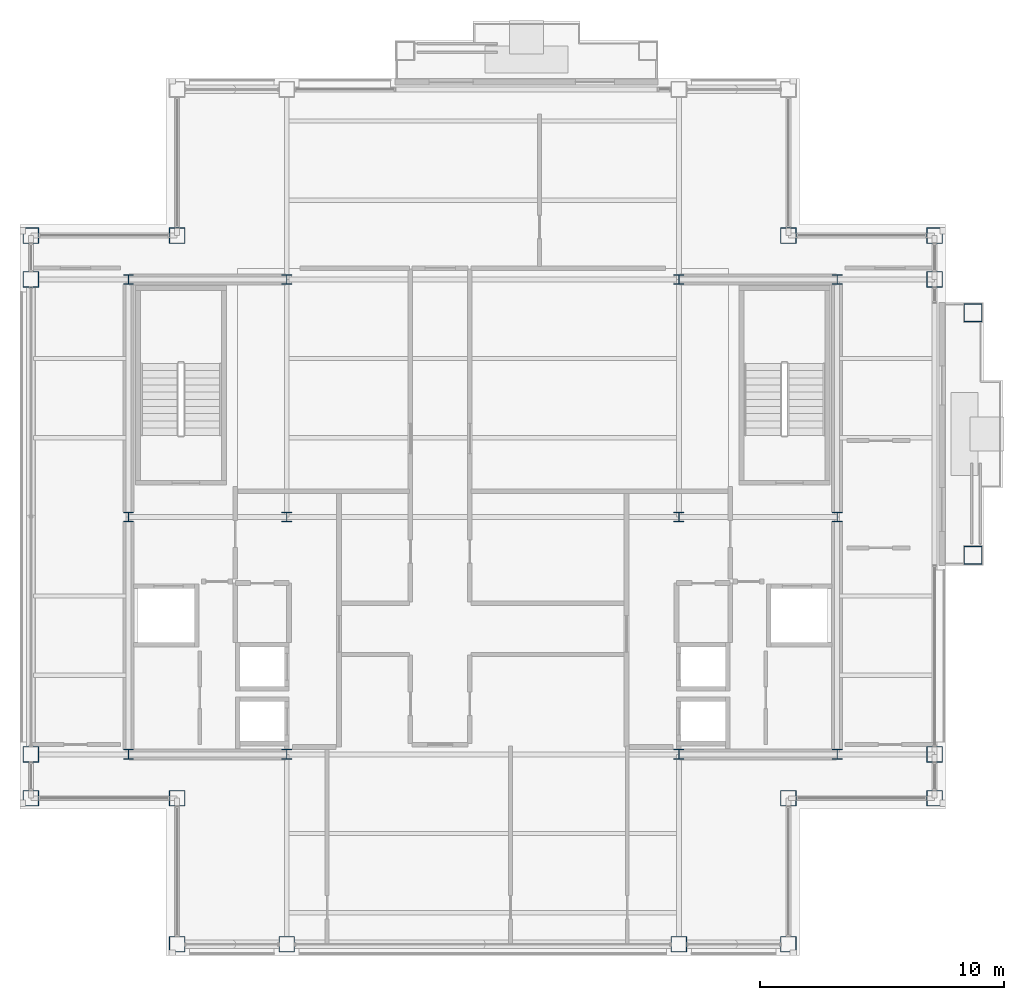
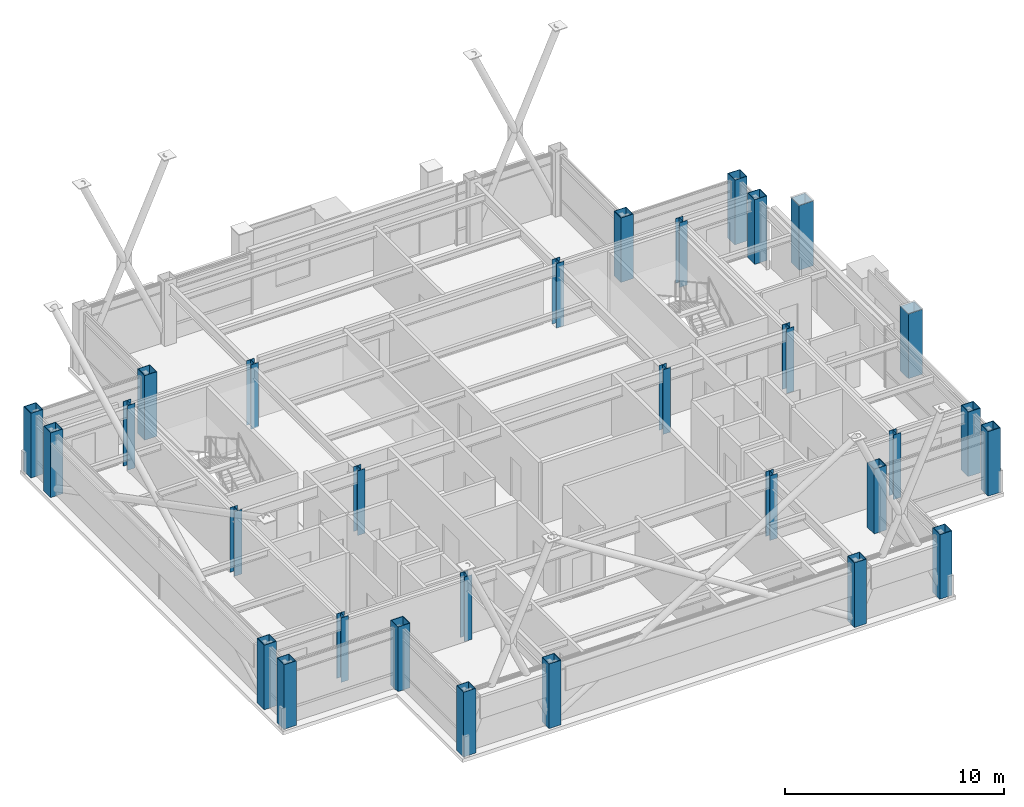
# One storey, part 1 of 30: 30 columns.
"""IFC4 building model written with IfcOpenShell, lengths in metres."""

import ifcopenshell
import ifcopenshell.guid

model = None  # the IFC model being written
_history = None  # IfcOwnerHistory: only IFC2X3 demands one
_inside = {}  # id of a spatial element -> (the spatial element, [elements in it])
_under = {}  # id of a project, library or spatial element -> (it, [spatial elements below it])
_declared = {}  # id of a project -> (the project, [libraries it declares])
_typed = {}  # id of a type object -> (the type object, [elements of that type])
_made_of = {}  # id of a material, layer set ... -> (it, [elements and type objects made of it])


def new_model(schema):
    """Start an empty IFC model of exactly this schema.

    Asked for "IFC4X3", IfcOpenShell would pick the latest addendum, in which some entities
    have other attributes; the version numbers below select the first issue.
    IFC2X3 requires an IfcOwnerHistory on every rooted entity: one is made here for all.
    """
    global model, _history
    if schema == "IFC4X3":
        model = ifcopenshell.file(schema_version=(4, 3, 0, 0))
    else:
        model = ifcopenshell.file(schema=schema)
    _inside.clear()
    _under.clear()
    _declared.clear()
    _typed.clear()
    _made_of.clear()
    _history = None
    if model.schema == "IFC2X3":
        org = make("IfcOrganization", Name="unknown")
        user = make(
            "IfcPersonAndOrganization",
            ThePerson=make("IfcPerson", FamilyName="unknown"),
            TheOrganization=org,
        )
        app = make(
            "IfcApplication",
            ApplicationDeveloper=org,
            Version="unknown",
            ApplicationFullName="unknown",
            ApplicationIdentifier="unknown",
        )
        _history = make(
            "IfcOwnerHistory",
            OwningUser=user,
            OwningApplication=app,
            ChangeAction="ADDED",
            CreationDate=0,
        )
    return model


def make(cls, **values):
    """One entity of the class cls with the attributes given. An attribute that is None is left unset."""
    return model.create_entity(
        cls, **{name: value for name, value in values.items() if value is not None}
    )


def rooted(cls, **values):
    """An entity with a GlobalId (a new one), such as an element, a storey or a relation."""
    return make(cls, GlobalId=ifcopenshell.guid.new(), OwnerHistory=_history, **values)


def si_unit(unit_type, name, prefix=None):
    """IfcSIUnit, for example si_unit("LENGTHUNIT", "METRE", prefix="MILLI")."""
    return make("IfcSIUnit", UnitType=unit_type, Prefix=prefix, Name=name)


def assignment(units):
    """IfcUnitAssignment: the units of a project."""
    return None if units is None else make("IfcUnitAssignment", Units=units)


def point(xyz):
    """IfcCartesianPoint."""
    return None if xyz is None else make("IfcCartesianPoint", Coordinates=xyz)


def direction(xyz):
    """IfcDirection."""
    return None if xyz is None else make("IfcDirection", DirectionRatios=xyz)


def frame(location, z_axis=None, x_axis=None):
    """IfcAxis2Placement3D, a coordinate frame: its origin and axes. An axis left out is left unset."""
    return make(
        "IfcAxis2Placement3D",
        Location=point(location),
        Axis=direction(z_axis),
        RefDirection=direction(x_axis),
    )


def frame_2d(location, x_axis=None):
    """IfcAxis2Placement2D, a coordinate frame in the plane: its origin and x axis."""
    return make(
        "IfcAxis2Placement2D", Location=point(location), RefDirection=direction(x_axis)
    )


def origin():
    """The frame at (0, 0, 0) with its axes left unset."""
    return frame((0.0, 0.0, 0.0))


def origin_2d():
    """The frame at (0, 0) in the plane with its x axis left unset."""
    return frame_2d((0.0, 0.0))


def place(relative_to, where):
    """IfcLocalPlacement: puts the frame where relative to a parent placement (None: the world)."""
    return make(
        "IfcLocalPlacement", PlacementRelTo=relative_to, RelativePlacement=where
    )


def context(
    kind, dimensions, precision=None, world=None, true_north=None, identifier=None
):
    """IfcGeometricRepresentationContext, for example the 3D "Model" context."""
    return make(
        "IfcGeometricRepresentationContext",
        ContextIdentifier=identifier,
        ContextType=kind,
        CoordinateSpaceDimension=dimensions,
        Precision=precision,
        WorldCoordinateSystem=world,
        TrueNorth=true_north,
    )


def subcontext(parent, identifier, kind, view, scale=None):
    """IfcGeometricRepresentationSubContext, for example "Body" below "Model"."""
    return make(
        "IfcGeometricRepresentationSubContext",
        ContextIdentifier=identifier,
        ContextType=kind,
        ParentContext=parent,
        TargetScale=scale,
        TargetView=view,
    )


def project(units=None, contexts=None):
    """IfcProject with its units and contexts."""
    return rooted(
        "IfcProject",
        Name="project",
        RepresentationContexts=contexts,
        UnitsInContext=assignment(units),
    )


def spatial(cls, under=None, at=None, **own):
    """A site, building, storey or space (cls), placed at a placement, below another one or the project."""
    s = rooted(cls, ObjectPlacement=at, **own)
    if under is not None:
        _under.setdefault(under.id(), (under, []))[1].append(s)
    return s


def profile(cls, at=None, kind="AREA", **sizes):
    """A parametric profile (cls). Its sizes go by their IFC names, for example OverallWidth=200.0."""
    return make(cls, ProfileType=kind, Position=at, **sizes)


def hollow_rectangle(**sizes):
    """IfcRectangleHollowProfileDef."""
    return profile("IfcRectangleHollowProfileDef", **sizes)


def i_section(**sizes):
    """IfcIShapeProfileDef."""
    return profile("IfcIShapeProfileDef", **sizes)


def extrude(swept, where, along, depth):
    """IfcExtrudedAreaSolid: the profile swept, set in the frame where, extruded along a direction by depth."""
    return make(
        "IfcExtrudedAreaSolid",
        SweptArea=swept,
        Position=where,
        ExtrudedDirection=direction(along),
        Depth=depth,
    )


def shape(context_of_items, identifier, shape_type, items):
    """IfcShapeRepresentation: the items that make up one representation, for example the "Body"."""
    return make(
        "IfcShapeRepresentation",
        ContextOfItems=context_of_items,
        RepresentationIdentifier=identifier,
        RepresentationType=shape_type,
        Items=items,
    )


def material(Name=None, Category=None):
    """IfcMaterial."""
    return make("IfcMaterial", Name=Name, Category=Category)


def material_profile(
    of_material, cross_section, Name=None, Category=None, Priority=None
):
    """IfcMaterialProfile: a cross section and its material."""
    return make(
        "IfcMaterialProfile",
        Name=Name,
        Material=of_material,
        Profile=cross_section,
        Priority=Priority,
        Category=Category,
    )


def profile_set(profiles, Name=None, composite=None):
    """IfcMaterialProfileSet."""
    return make(
        "IfcMaterialProfileSet",
        Name=Name,
        MaterialProfiles=profiles,
        CompositeProfile=composite,
    )


def made_of(thing, what):
    """Note that an element or type object is made of a material, layer set ...; save() writes the relation."""
    if what is not None:
        _made_of.setdefault(what.id(), (what, []))[1].append(thing)
    return thing


def type_object(cls, material=None, **own):
    """A type object (cls), such as IfcWallType, which elements share."""
    return made_of(rooted(cls, **own), material)


def element(
    cls,
    number,
    at=None,
    inside=None,
    cuts=None,
    type_object=None,
    material=None,
    context=None,
    identifier="Body",
    shape_type=None,
    held_by="IfcProductDefinitionShape",
    body=None,
    shapes=None,
    **own,
):
    """One element of the class cls, such as IfcWall. Its Tag is "e" and its number.

    at: its placement. inside: the storey or other place that contains it. cuts: it is an
    opening in that element (IfcRelVoidsElement). A single representation is given by context,
    identifier, shape_type and body (its items); several are given by shapes. held_by: the class
    of the entity that holds the representations. save() writes the other relations.
    """
    e = rooted(cls, Tag="e%d" % number, ObjectPlacement=at, **own)
    if body is not None:
        shapes = [shape(context, identifier, shape_type, body)]
    if shapes is not None:
        e.Representation = make(held_by, Representations=shapes)
    if inside is not None:
        _inside.setdefault(inside.id(), (inside, []))[1].append(e)
    if cuts is not None:
        rooted(
            "IfcRelVoidsElement", RelatingBuildingElement=cuts, RelatedOpeningElement=e
        )
    if type_object is not None:
        _typed.setdefault(type_object.id(), (type_object, []))[1].append(e)
    return made_of(e, material)


def aggregate(whole, parts):
    """IfcRelAggregates: a whole, such as a stair, and the parts it consists of."""
    return rooted("IfcRelAggregates", RelatingObject=whole, RelatedObjects=parts)


def save(model, path):
    """Write the relations noted so far, then the file.

    IfcRelAggregates (storeys below a building ...), IfcRelContainedInSpatialStructure (elements
    in a storey), IfcRelDefinesByType, IfcRelAssociatesMaterial and IfcRelDeclares: one each for
    every whole, place, type object, material and project.
    """
    for whole, parts in _under.values():
        aggregate(whole, parts)
    for where, things in _inside.values():
        rooted(
            "IfcRelContainedInSpatialStructure",
            RelatedElements=things,
            RelatingStructure=where,
        )
    for kind, things in _typed.values():
        rooted("IfcRelDefinesByType", RelatedObjects=things, RelatingType=kind)
    for what, things in _made_of.values():
        rooted("IfcRelAssociatesMaterial", RelatedObjects=things, RelatingMaterial=what)
    for by, libraries in _declared.values():
        rooted("IfcRelDeclares", RelatingContext=by, RelatedDefinitions=libraries)
    model.write(path)


model = new_model("IFC4")

# Units and contexts
model_context = context("Model", 3, precision=1e-05, world=origin(), true_north=direction((0.0, 1.0)))
body_context = subcontext(model_context, "Body", "Model", "MODEL_VIEW")
ifc_project = project(units=[si_unit("LENGTHUNIT", "METRE"), si_unit("AREAUNIT", "SQUARE_METRE"), si_unit("VOLUMEUNIT", "CUBIC_METRE"), si_unit("PLANEANGLEUNIT", "RADIAN"), si_unit("MASSUNIT", "GRAM", prefix="KILO")], contexts=[model_context])

# Site, building, storey
site_placement = place(None, origin())
site = spatial("IfcSite", under=ifc_project, at=site_placement, CompositionType="ELEMENT")
building_placement = place(site_placement, origin())
building = spatial("IfcBuilding", under=site, at=building_placement, Name="Brelmoor Portico Tower", CompositionType="ELEMENT")
storey_placement = place(building_placement, frame((0.0, 0.0, 236.39990234375)))
storey = spatial("IfcBuildingStorey", under=building, at=storey_placement, Name="L62", CompositionType="ELEMENT", Elevation=236.39990234375)

# Columns
ifc_material = material(Name="Steel Q355B", Category="steel")
ifc_material_profile_1 = material_profile(ifc_material, hollow_rectangle(XDim=0.64990234375, YDim=0.64990234375, WallThickness=0.028076171875, at=origin_2d()), Name="BOX 650x650x28")
ifc_profile_set_1 = profile_set([ifc_material_profile_1], Name="Steel Q355B")
column_type_1 = type_object("IfcColumnType", Name="COL-MEGA-650", PredefinedType="COLUMN", material=ifc_profile_set_1)
for number, where, z_axis, x_axis, name in (
    (1, (-12.550048828125, -17.550048828125, 0.0), (0.0, 0.0, 1.0), (1.0, 0.0, 0.0), "L62 Perimeter Mega-Column PS01"),
    (2, (-8.050048828125, -17.550048828125, 0.0), (0.0, 0.0, 1.0), (1.0, 0.0, 0.0), "L62 Perimeter Mega-Column PS02"),
    (3, (8.050048828125, -17.550048828125, 0.0), (0.0, 0.0, 1.0), (1.0, 0.0, 0.0), "L62 Perimeter Mega-Column PS03"),
    (4, (12.550048828125, -17.550048828125, 0.0), (0.0, 0.0, 1.0), (1.0, 0.0, 0.0), "L62 Perimeter Mega-Column PS04"),
    (5, (-18.550048828125, -11.550048828125, 0.0), (0.0, 0.0, 1.0), (0.0, 1.0, 0.0), "L62 Perimeter Mega-Column PW01"),
    (6, (-18.550048828125, -9.75, 0.0), (0.0, 0.0, 1.0), (0.0, 1.0, 0.0), "L62 Perimeter Mega-Column PW02"),
    (7, (-18.550048828125, 9.75, 0.0), (0.0, 0.0, 1.0), (0.0, 1.0, 0.0), "L62 Perimeter Mega-Column PW03"),
    (8, (-18.550048828125, 11.550048828125, 0.0), (0.0, 0.0, 1.0), (0.0, 1.0, 0.0), "L62 Perimeter Mega-Column PW04"),
    (9, (18.550048828125, -11.550048828125, 0.0), (0.0, 0.0, 1.0), (0.0, 1.0, 0.0), "L62 Perimeter Mega-Column PE01"),
    (10, (18.550048828125, -9.75, 0.0), (0.0, 0.0, 1.0), (0.0, 1.0, 0.0), "L62 Perimeter Mega-Column PE02"),
    (11, (18.550048828125, 9.75, 0.0), (0.0, 0.0, 1.0), (0.0, 1.0, 0.0), "L62 Perimeter Mega-Column PE03"),
    (12, (18.550048828125, 11.550048828125, 0.0), (0.0, 0.0, 1.0), (0.0, 1.0, 0.0), "L62 Perimeter Mega-Column PE04"),
    (13, (-12.550048828125, 11.550048828125, 0.0), (0.0, 0.0, 1.0), (1.0, 0.0, 0.0), "L62 Perimeter Mega-Column PC-NW"),
    (14, (12.550048828125, 11.550048828125, 0.0), (0.0, 0.0, 1.0), (1.0, 0.0, 0.0), "L62 Perimeter Mega-Column PC-NE"),
    (15, (12.550048828125, -11.550048828125, 0.0), (0.0, 0.0, 1.0), (1.0, 0.0, 0.0), "L62 Perimeter Mega-Column PC-SE"),
    (16, (-12.550048828125, -11.550048828125, 0.0), (0.0, 0.0, 1.0), (1.0, 0.0, 0.0), "L62 Perimeter Mega-Column PC-SW"),
):
    element("IfcColumn", number, at=place(storey_placement, frame(where, z_axis=z_axis, x_axis=x_axis)), inside=storey, type_object=column_type_1, Name=name, PredefinedType="COLUMN", context=body_context, shape_type="SweptSolid", body=[
        extrude(hollow_rectangle(XDim=0.64990234375, YDim=0.64990234375, WallThickness=0.028076171875, at=origin_2d()), origin(), (0.0, 0.0, 1.0), 3.60009765625),
    ])
ifc_material_profile_2 = material_profile(ifc_material, hollow_rectangle(XDim=0.75, YDim=0.75, WallThickness=0.031982421875, at=origin_2d()), Name="BOX 750x750x32")
ifc_profile_set_2 = profile_set([ifc_material_profile_2], Name="Steel Q355B")
column_type_2 = type_object("IfcColumnType", Name="COL-MEGA-750", PredefinedType="COLUMN", material=ifc_profile_set_2)
for number, where, z_axis, x_axis, name in (
    (17, (20.1298828125, -1.580078125, 0.0), (0.0, 0.0, 1.0), (0.0, 1.0, 0.0), "L62 Proud Picture-Frame Pier PFJ-E1"),
    (18, (20.1298828125, 8.3798828125, 0.0), (0.0, 0.0, 1.0), (0.0, 1.0, 0.0), "L62 Proud Picture-Frame Pier PFJ-E2"),
):
    element("IfcColumn", number, at=place(storey_placement, frame(where, z_axis=z_axis, x_axis=x_axis)), inside=storey, type_object=column_type_2, Name=name, PredefinedType="COLUMN", context=body_context, shape_type="SweptSolid", body=[
        extrude(hollow_rectangle(XDim=0.75, YDim=0.75, WallThickness=0.031982421875, at=origin_2d()), origin(), (0.0, 0.0, 1.0), 3.60009765625),
    ])
ifc_material_profile_3 = material_profile(ifc_material, i_section(OverallWidth=0.39990234375, OverallDepth=0.39990234375, WebThickness=0.012939453125, FlangeThickness=0.02099609375, at=origin_2d()), Name="HW 400x400x13x21")
ifc_profile_set_3 = profile_set([ifc_material_profile_3], Name="Steel Q355B")
column_type_3 = type_object("IfcColumnType", Name="COL-SPINE-400", PredefinedType="COLUMN", material=ifc_profile_set_3)
for number, where, z_axis, x_axis, name in (
    (19, (-14.550048828125, -9.75, 0.0), (0.0, 0.0, 1.0), (1.0, 0.0, 0.0), "L62 Core Spine Column CW-SW"),
    (20, (-14.550048828125, 0.0, 0.0), (0.0, 0.0, 1.0), (1.0, 0.0, 0.0), "L62 Core Spine Column CW-MW"),
    (21, (-14.550048828125, 9.75, 0.0), (0.0, 0.0, 1.0), (1.0, 0.0, 0.0), "L62 Core Spine Column CW-NW"),
    (22, (-8.050048828125, -9.75, 0.0), (0.0, 0.0, 1.0), (1.0, 0.0, 0.0), "L62 Core Spine Column CW-SE"),
    (23, (-8.050048828125, 0.0, 0.0), (0.0, 0.0, 1.0), (1.0, 0.0, 0.0), "L62 Core Spine Column CW-ME"),
    (24, (-8.050048828125, 9.75, 0.0), (0.0, 0.0, 1.0), (1.0, 0.0, 0.0), "L62 Core Spine Column CW-NE"),
    (25, (8.050048828125, -9.75, 0.0), (0.0, 0.0, 1.0), (1.0, 0.0, 0.0), "L62 Core Spine Column CE-SW"),
    (26, (8.050048828125, 0.0, 0.0), (0.0, 0.0, 1.0), (1.0, 0.0, 0.0), "L62 Core Spine Column CE-MW"),
    (27, (8.050048828125, 9.75, 0.0), (0.0, 0.0, 1.0), (1.0, 0.0, 0.0), "L62 Core Spine Column CE-NW"),
    (28, (14.550048828125, -9.75, 0.0), (0.0, 0.0, 1.0), (1.0, 0.0, 0.0), "L62 Core Spine Column CE-SE"),
    (29, (14.550048828125, 0.0, 0.0), (0.0, 0.0, 1.0), (1.0, 0.0, 0.0), "L62 Core Spine Column CE-ME"),
    (30, (14.550048828125, 9.75, 0.0), (0.0, 0.0, 1.0), (1.0, 0.0, 0.0), "L62 Core Spine Column CE-NE"),
):
    element("IfcColumn", number, at=place(storey_placement, frame(where, z_axis=z_axis, x_axis=x_axis)), inside=storey, type_object=column_type_3, Name=name, PredefinedType="COLUMN", context=body_context, shape_type="SweptSolid", body=[
        extrude(i_section(OverallWidth=0.39990234375, OverallDepth=0.39990234375, WebThickness=0.012939453125, FlangeThickness=0.02099609375, at=origin_2d()), origin(), (0.0, 0.0, 1.0), 3.60009765625),
    ])

save(model, "model.ifc")
